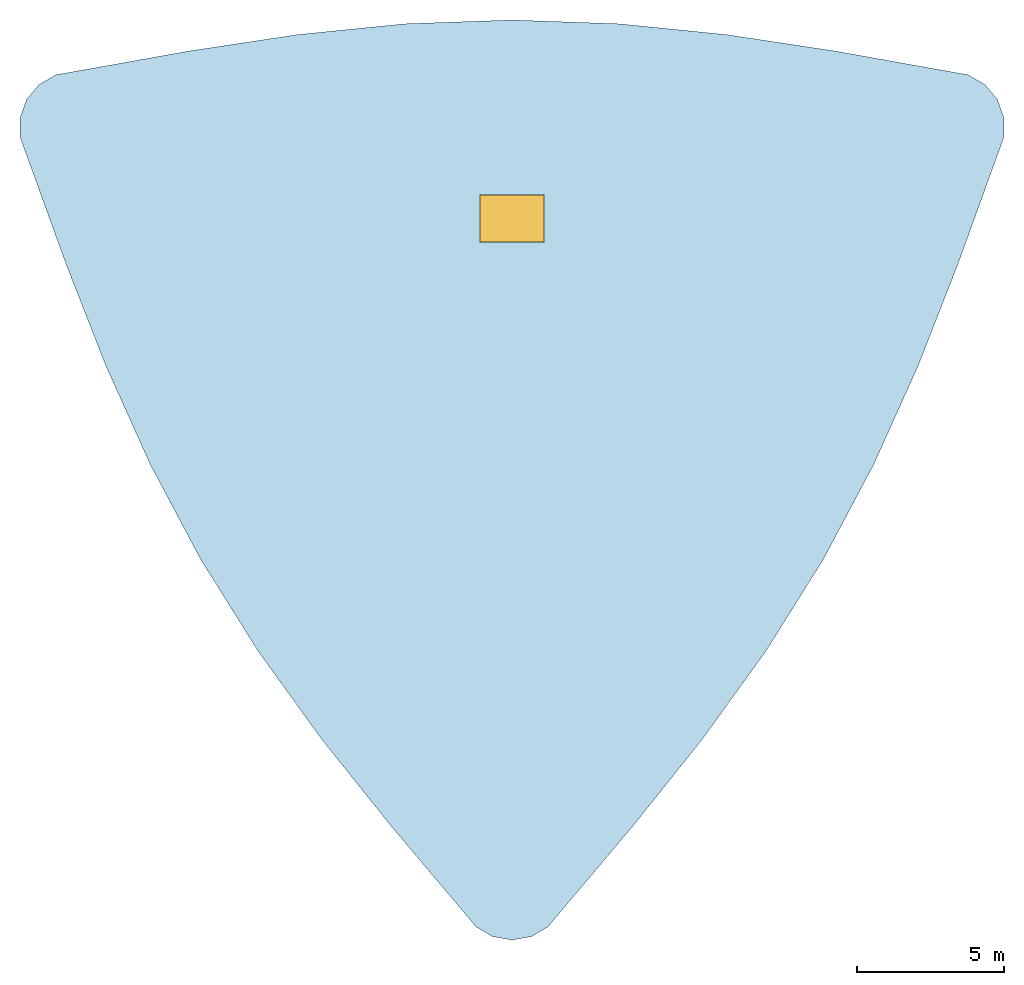
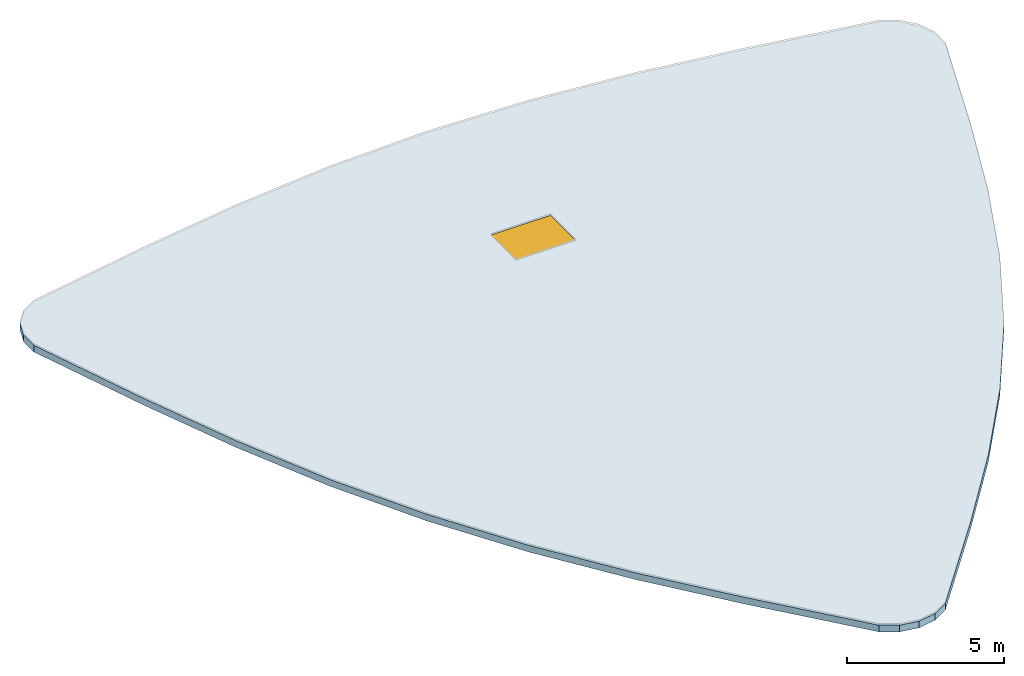
# One storey, part 1 of 2: 1 slab, 1 window, 1 opening.
"""IFC4 building model written with IfcOpenShell, lengths in metres."""

from ifc_helpers import new_model, si_unit, derived_unit, direction, frame, origin, origin_2d, place, context, subcontext, project, spatial, polyline, rectangle, outline, extrude, material, layer, layer_set, type_object, element, fill, save


model = new_model("IFC4")

# Units and contexts
model_context = context("Model", 3, precision=1e-05, world=origin(), true_north=direction((0.0, 1.0)))
body_context = subcontext(model_context, "Body", "Model", "MODEL_VIEW")
ifc_project = project(units=[si_unit("LENGTHUNIT", "METRE"), si_unit("AREAUNIT", "SQUARE_METRE"), si_unit("VOLUMEUNIT", "CUBIC_METRE"), si_unit("PLANEANGLEUNIT", "RADIAN"), si_unit("MASSUNIT", "GRAM", prefix="KILO"), derived_unit("THERMALTRANSMITTANCEUNIT", [(si_unit("POWERUNIT", "WATT"), 1), (si_unit("LENGTHUNIT", "METRE"), -2), (si_unit("THERMODYNAMICTEMPERATUREUNIT", "KELVIN"), -1)])], contexts=[model_context])

# Site, building, storey
site_placement = place(None, origin())
site = spatial("IfcSite", under=ifc_project, at=site_placement, CompositionType="ELEMENT")
building_placement = place(site_placement, origin())
building = spatial("IfcBuilding", under=site, at=building_placement, Name="Korsvarv Bourse and Concert Hall", CompositionType="ELEMENT")
storey_placement = place(building_placement, frame((0.0, 0.0, 299.699951171875)))
storey = spatial("IfcBuildingStorey", under=building, at=storey_placement, Name="RF", CompositionType="ELEMENT", Elevation=299.699951171875)

# Slab, opening, window
ifc_material_1 = material(Name="Concrete C45/55", Category="concrete")
ifc_layer = layer(ifc_material_1, 0.260009765625)
ifc_layer_set = layer_set([ifc_layer], Name="Concrete C45/55")
slab_type = type_object("IfcSlabType", Name="SLB-RF1", PredefinedType="ROOF", material=ifc_layer_set)
slab_placement = place(storey_placement, frame((0.0, 0.0, -0.260009765625)))
slab = element("IfcSlab", 1, at=slab_placement, inside=storey, type_object=slab_type, Name="RF Crown Closed Flat Roof Slab", PredefinedType="ROOF", context=body_context, shape_type="SweptSolid", body=[
    extrude(outline(polyline([(52.501708984375, 43.504150390625), (51.218994140625, 39.955078125), (49.857177734375, 36.477294921875), (48.341552734375, 33.10791015625), (46.621337890625, 29.867919921875), (44.675537109375, 26.758056640625), (42.515380859375, 23.7607421875), (40.184326171875, 20.84228515625), (37.752197265625, 17.957275390625), (37.750732421875, 17.955810546875), (37.225341796875, 17.32958984375), (36.652099609375, 16.99853515625), (36.0, 16.883544921875), (35.347900390625, 16.99853515625), (34.774658203125, 17.32958984375), (34.249267578125, 17.955810546875), (34.247802734375, 17.957275390625), (31.815673828125, 20.84228515625), (29.484619140625, 23.7607421875), (27.324462890625, 26.758056640625), (25.378662109375, 29.867919921875), (23.658447265625, 33.10791015625), (22.142822265625, 36.477294921875), (20.781005859375, 39.955078125), (19.498291015625, 43.504150390625), (19.497802734375, 43.506103515625), (19.21826171875, 44.27392578125), (19.21826171875, 44.93603515625), (19.444580078125, 45.55810546875), (19.870361328125, 46.0654296875), (20.443603515625, 46.396484375), (21.24853515625, 46.538330078125), (21.25048828125, 46.538818359375), (24.965087890625, 47.20263671875), (28.658203125, 47.76220703125), (32.333984375, 48.13427734375), (36.0, 48.264404296875), (39.666015625, 48.13427734375), (43.341796875, 47.76220703125), (47.034912109375, 47.20263671875), (50.74951171875, 46.538818359375), (50.75146484375, 46.538330078125), (51.556396484375, 46.396484375), (52.129638671875, 46.0654296875), (52.555419921875, 45.55810546875), (52.78173828125, 44.93603515625), (52.78173828125, 44.27392578125), (52.502197265625, 43.506103515625), (52.501708984375, 43.504150390625)]), holes=[polyline([(34.89990234375, 40.699951171875), (37.10009765625, 40.699951171875), (37.10009765625, 42.300048828125), (34.89990234375, 42.300048828125), (34.89990234375, 40.699951171875)])]), origin(), (0.0, 0.0, 1.0), 0.260009765625),
])
opening_placement = place(slab_placement, frame((36.0, 41.5, -0.010009765625)))
opening = element("IfcOpeningElement", 2, at=opening_placement, cuts=slab, Name="Opening SK-01", PredefinedType="OPENING", context=body_context, shape_type="SweptSolid", body=[
    extrude(rectangle(XDim=2.199951171875, YDim=1.60009765625, at=origin_2d()), origin(), (0.0, 0.0, 1.0), 0.280029296875),
])
ifc_material_2 = material(Name="Thermally broken aluminium frame with triple low-E glass", Category="glass")
window_type = type_object("IfcWindowType", Name="WIN-SKY1", PartitioningType="SINGLE_PANEL", PredefinedType="SKYLIGHT", material=ifc_material_2)
window_placement = place(opening_placement, frame((0.0, 0.0, 0.219970703125)))
window = element("IfcWindow", 3, at=window_placement, inside=storey, type_object=window_type, Name="RF Crown Daylight Maintenance Rooflight SK-07", OverallHeight=1.60009765625, OverallWidth=2.199951171875, PartitioningType="SINGLE_PANEL", PredefinedType="SKYLIGHT", context=body_context, shape_type="SweptSolid", body=[
    extrude(rectangle(XDim=2.199951171875, YDim=1.60009765625, at=origin_2d()), origin(), (0.0, 0.0, 1.0), 0.050048828125),
])
fill(opening, window)

save(model, "model.ifc")
